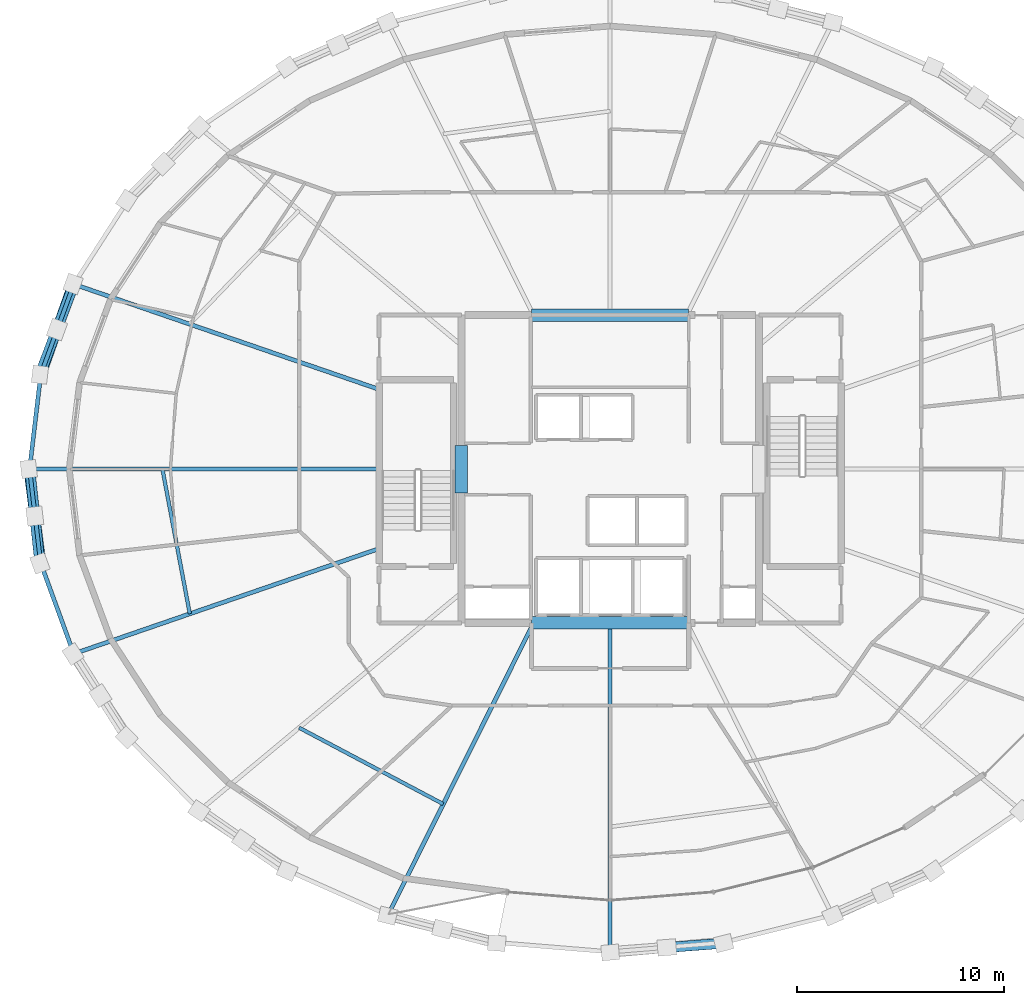
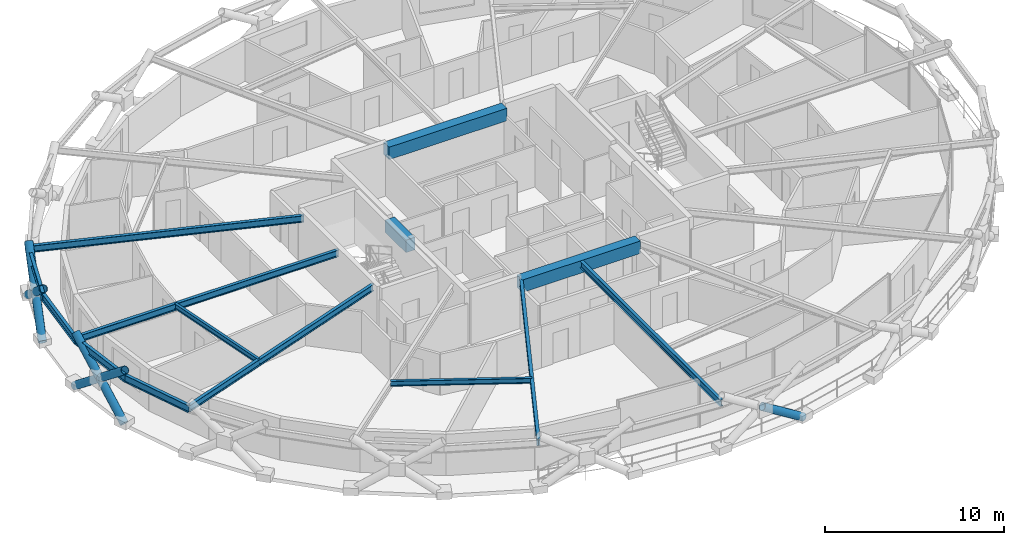
# One storey, part 3 of 19: 14 beams, 7 members.
"""IFC4 building model written with IfcOpenShell, lengths in metres."""

from ifc_helpers import new_model, si_unit, direction, frame, origin, origin_2d, place, context, subcontext, project, spatial, rectangle, hollow_circle, i_section, extrude, material, material_profile, profile_set, type_object, element, save


model = new_model("IFC4")

# Units and contexts
model_context = context("Model", 3, precision=1e-05, world=origin(), true_north=direction((0.0, 1.0)))
body_context = subcontext(model_context, "Body", "Model", "MODEL_VIEW")
ifc_project = project(units=[si_unit("LENGTHUNIT", "METRE"), si_unit("AREAUNIT", "SQUARE_METRE"), si_unit("VOLUMEUNIT", "CUBIC_METRE"), si_unit("PLANEANGLEUNIT", "RADIAN"), si_unit("MASSUNIT", "GRAM", prefix="KILO")], contexts=[model_context])

# Site, building, storey
site_placement = place(None, origin())
site = spatial("IfcSite", under=ifc_project, at=site_placement, CompositionType="ELEMENT")
building_placement = place(site_placement, origin())
building = spatial("IfcBuilding", under=site, at=building_placement, Name="Veldorina Hangang Commons", CompositionType="ELEMENT")
storey_placement = place(building_placement, frame((0.0, 0.0, 164.0)))
storey = spatial("IfcBuildingStorey", under=building, at=storey_placement, Name="L42", CompositionType="ELEMENT", Elevation=164.0)

# Beams
ifc_material_1 = material(Name="Concrete C60/75", Category="concrete")
ifc_material_profile_1 = material_profile(ifc_material_1, rectangle(XDim=0.60009765625, YDim=0.85009765625, at=origin_2d()), Name="RC-CB-600x850")
ifc_profile_set_1 = profile_set([ifc_material_profile_1], Name="Concrete C60/75")
beam_type_1 = type_object("IfcBeamType", Name="BM-CB850", PredefinedType="LINTEL", material=ifc_profile_set_1)
beam_1_placement = place(storey_placement, frame((24.800048828125, 22.85009765625, 2.925048828125), z_axis=(0.0, 1.0, 0.0), x_axis=(-1.0, 0.0, 0.0)))
element("IfcBeam", 1, at=beam_1_placement, inside=storey, type_object=beam_type_1, Name="L42 W core coupling lintel beam", PredefinedType="LINTEL", context=body_context, shape_type="SweptSolid", body=[
    extrude(rectangle(XDim=0.60009765625, YDim=0.85009765625, at=origin_2d()), origin(), (0.0, 0.0, 1.0), 2.2998046875),
])
for number, where, z_axis, x_axis, name in (
    (2, (28.199951171875, 16.550048828125, 2.925048828125), (1.0, 0.0, 0.0), (0.0, 1.0, 0.0), "L42 south core coupling beam"),
    (3, (28.199951171875, 31.449951171875, 2.925048828125), (1.0, 0.0, 0.0), (0.0, 1.0, 0.0), "L42 north core coupling beam"),
):
    element("IfcBeam", number, at=place(storey_placement, frame(where, z_axis=z_axis, x_axis=x_axis)), inside=storey, type_object=beam_type_1, Name=name, PredefinedType="LINTEL", context=body_context, shape_type="SweptSolid", body=[
        extrude(rectangle(XDim=0.60009765625, YDim=0.85009765625, at=origin_2d()), origin(), (0.0, 0.0, 1.0), 7.60009765625),
    ])
ifc_material_2 = material(Name="Steel SM355-TMC", Category="steel")
ifc_material_profile_2 = material_profile(ifc_material_2, i_section(OverallWidth=0.199951171875, OverallDepth=0.449951171875, WebThickness=0.009033203125, FlangeThickness=0.013916015625, FilletRadius=0.01611328125, at=origin_2d()), Name="H-450x200x9x14")
ifc_profile_set_2 = profile_set([ifc_material_profile_2], Name="Steel SM355-TMC")
beam_type_2 = type_object("IfcBeamType", Name="BM-FG450", PredefinedType="BEAM", material=ifc_profile_set_2)
beam_2_placement = place(storey_placement, frame((20.820068359375, 27.851318359375, 3.125), z_axis=(-0.945470676268, 0.325707230987, 0.0), x_axis=(-0.325707230987, -0.945470676268, 0.0)))
element("IfcBeam", 4, at=beam_2_placement, inside=storey, type_object=beam_type_2, Name="L42 radial floor girder 08", PredefinedType="BEAM", context=body_context, shape_type="SweptSolid", body=[
    extrude(i_section(OverallWidth=0.199951171875, OverallDepth=0.449951171875, WebThickness=0.009033203125, FlangeThickness=0.013916015625, FilletRadius=0.01611328125, at=origin_2d()), origin(), (0.0, 0.0, 1.0), 15.63525390625),
])
beam_3_placement = place(storey_placement, frame((20.820068359375, 24.0, 3.125), z_axis=(-1.0, 0.0, 0.0), x_axis=(0.0, -1.0, 0.0)))
element("IfcBeam", 5, at=beam_3_placement, inside=storey, type_object=beam_type_2, Name="L42 radial floor girder 09", PredefinedType="BEAM", context=body_context, shape_type="SweptSolid", body=[
    extrude(i_section(OverallWidth=0.199951171875, OverallDepth=0.449951171875, WebThickness=0.009033203125, FlangeThickness=0.013916015625, FilletRadius=0.01611328125, at=origin_2d()), origin(), (0.0, 0.0, 1.0), 16.921875),
])
beam_4_placement = place(storey_placement, frame((20.820068359375, 20.148681640625, 3.125), z_axis=(-0.945475484687, -0.325693272661, 0.0), x_axis=(0.325693272661, -0.945475484687, 0.0)))
element("IfcBeam", 6, at=beam_4_placement, inside=storey, type_object=beam_type_2, Name="L42 radial floor girder 10", PredefinedType="BEAM", context=body_context, shape_type="SweptSolid", body=[
    extrude(i_section(OverallWidth=0.199951171875, OverallDepth=0.449951171875, WebThickness=0.009033203125, FlangeThickness=0.013916015625, FilletRadius=0.01611328125, at=origin_2d()), origin(), (0.0, 0.0, 1.0), 15.63525390625),
])
beam_5_placement = place(storey_placement, frame((28.28955078125, 16.550048828125, 3.125), z_axis=(-0.445822322888, -0.895121475787, 0.0), x_axis=(0.895121475787, -0.445822322888, 0.0)))
element("IfcBeam", 7, at=beam_5_placement, inside=storey, type_object=beam_type_2, Name="L42 radial floor girder 12", PredefinedType="BEAM", context=body_context, shape_type="SweptSolid", body=[
    extrude(i_section(OverallWidth=0.199951171875, OverallDepth=0.449951171875, WebThickness=0.009033203125, FlangeThickness=0.013916015625, FilletRadius=0.01611328125, at=origin_2d()), origin(), (0.0, 0.0, 1.0), 15.79931640625),
])
beam_6_placement = place(storey_placement, frame((32.0, 16.550048828125, 3.125), z_axis=(0.0, -1.0, 0.0), x_axis=(1.0, 0.0, 0.0)))
element("IfcBeam", 8, at=beam_6_placement, inside=storey, type_object=beam_type_2, Name="L42 radial floor girder 13", PredefinedType="BEAM", context=body_context, shape_type="SweptSolid", body=[
    extrude(i_section(OverallWidth=0.199951171875, OverallDepth=0.449951171875, WebThickness=0.009033203125, FlangeThickness=0.013916015625, FilletRadius=0.01611328125, at=origin_2d()), origin(), (0.0, 0.0, 1.0), 15.92138671875),
])
ifc_material_profile_3 = material_profile(ifc_material_2, i_section(OverallWidth=0.175048828125, OverallDepth=0.35009765625, WebThickness=0.007080078125, FlangeThickness=0.010986328125, FilletRadius=0.012939453125, at=origin_2d()), Name="H-350x175x7x11")
ifc_profile_set_3 = profile_set([ifc_material_profile_3], Name="Steel SM355-TMC")
beam_type_3 = type_object("IfcBeamType", Name="BM-JST350", PredefinedType="JOIST", material=ifc_profile_set_3)
beam_7_placement = place(storey_placement, frame((10.32861328125, 24.0, 3.175048828125), z_axis=(0.185922926409, -0.982564331449, 0.0), x_axis=(0.982564331449, 0.185922926409, 0.0)))
element("IfcBeam", 9, at=beam_7_placement, inside=storey, type_object=beam_type_3, Name="L42 secondary floor joist 09", PredefinedType="JOIST", context=body_context, shape_type="SweptSolid", body=[
    extrude(i_section(OverallWidth=0.175048828125, OverallDepth=0.35009765625, WebThickness=0.007080078125, FlangeThickness=0.010986328125, FilletRadius=0.012939453125, at=origin_2d()), origin(), (0.0, 0.0, 1.0), 7.1328125),
])
beam_8_placement = place(storey_placement, frame((16.944091796875, 11.478515625, 3.175048828125), z_axis=(0.883669074698, -0.46811213018, 0.0), x_axis=(0.46811213018, 0.883669074698, 0.0)))
element("IfcBeam", 10, at=beam_8_placement, inside=storey, type_object=beam_type_3, Name="L42 secondary floor joist 11", PredefinedType="JOIST", context=body_context, shape_type="SweptSolid", body=[
    extrude(i_section(OverallWidth=0.175048828125, OverallDepth=0.35009765625, WebThickness=0.007080078125, FlangeThickness=0.010986328125, FilletRadius=0.012939453125, at=origin_2d()), origin(), (0.0, 0.0, 1.0), 7.897216796875),
])
ifc_material_3 = material(Name="Steel SM420-TMC", Category="steel")
ifc_material_profile_4 = material_profile(ifc_material_3, i_section(OverallWidth=0.199951171875, OverallDepth=0.5, WebThickness=0.010009765625, FlangeThickness=0.01611328125, FilletRadius=0.01611328125, at=origin_2d()), Name="H-500x200x10x16")
ifc_profile_set_4 = profile_set([ifc_material_profile_4], Name="Steel SM420-TMC")
beam_type_4 = type_object("IfcBeamType", Name="BM-RB500", PredefinedType="BEAM", material=ifc_profile_set_4)
beam_9_placement = place(storey_placement, frame((6.037353515625, 32.94384765625, 3.10009765625), z_axis=(-0.34265859185, -0.939459998846, 0.0), x_axis=(0.939459998846, -0.34265859185, 0.0)))
element("IfcBeam", 11, at=beam_9_placement, inside=storey, type_object=beam_type_4, Name="L42 perimeter hoop ring beam 14", PredefinedType="BEAM", context=body_context, shape_type="SweptSolid", body=[
    extrude(i_section(OverallWidth=0.199951171875, OverallDepth=0.5, WebThickness=0.010009765625, FlangeThickness=0.01611328125, FilletRadius=0.01611328125, at=origin_2d()), origin(), (0.0, 0.0, 1.0), 4.666748046875),
])
for number, where, z_axis, x_axis, name in (
    (12, (4.438232421875, 28.5595703125, 3.10009765625), (-0.117618662642, -0.993058835215, 0.0), (0.993058835215, -0.117618662642, 0.0), "L42 perimeter hoop ring beam 15"),
    (13, (3.898193359375, 24.0, 3.10009765625), (0.117618662642, -0.993058835215, 0.0), (0.993058835215, 0.117618662642, 0.0), "L42 perimeter hoop ring beam 16"),
):
    element("IfcBeam", number, at=place(storey_placement, frame(where, z_axis=z_axis, x_axis=x_axis)), inside=storey, type_object=beam_type_4, Name=name, PredefinedType="BEAM", context=body_context, shape_type="SweptSolid", body=[
        extrude(i_section(OverallWidth=0.199951171875, OverallDepth=0.5, WebThickness=0.010009765625, FlangeThickness=0.01611328125, FilletRadius=0.01611328125, at=origin_2d()), origin(), (0.0, 0.0, 1.0), 4.591552734375),
    ])
beam_10_placement = place(storey_placement, frame((4.438232421875, 19.4404296875, 3.10009765625), z_axis=(0.342675433327, -0.939453855915, 0.0), x_axis=(0.939453855915, 0.342675433327, 0.0)))
element("IfcBeam", 14, at=beam_10_placement, inside=storey, type_object=beam_type_4, Name="L42 perimeter hoop ring beam 17", PredefinedType="BEAM", context=body_context, shape_type="SweptSolid", body=[
    extrude(i_section(OverallWidth=0.199951171875, OverallDepth=0.5, WebThickness=0.010009765625, FlangeThickness=0.01611328125, FilletRadius=0.01611328125, at=origin_2d()), origin(), (0.0, 0.0, 1.0), 4.66650390625),
])

# Members
ifc_material_profile_5 = material_profile(ifc_material_3, hollow_circle(Radius=0.25, WallThickness=0.02490234375, at=origin_2d()), Name="CHS-500x25")
ifc_profile_set_5 = profile_set([ifc_material_profile_5], Name="Steel SM420-TMC")
member_type = type_object("IfcMemberType", Name="DG-CHS500", PredefinedType="BRACE", material=ifc_profile_set_5)
member_1_placement = place(storey_placement, frame((6.0, 32.95458984375, 0.0), z_axis=(-0.264029701367, -0.746212337596, 0.611110026113), x_axis=(0.942728098771, -0.333562185787, 0.0)))
element("IfcMember", 15, at=member_1_placement, inside=storey, type_object=member_type, Name="L42 continuous perimeter diagrid brace 14", PredefinedType="BRACE", context=body_context, shape_type="SweptSolid", body=[
    extrude(hollow_circle(Radius=0.25, WallThickness=0.02490234375, at=origin_2d()), origin(), (0.0, 0.0, 1.0), 5.89111328125),
])
member_2_placement = place(storey_placement, frame((4.3984375, 28.56494140625, 0.0), z_axis=(0.278814672242, 0.741686717085, 0.610051794721), x_axis=(-0.93604583389, 0.351878099429, 0.0)))
element("IfcMember", 16, at=member_2_placement, inside=storey, type_object=member_type, Name="L42 split perimeter diagrid lower brace 15", PredefinedType="BRACE", context=body_context, shape_type="SweptSolid", body=[
    extrude(hollow_circle(Radius=0.25, WallThickness=0.02490234375, at=origin_2d()), origin(), (0.0, 0.0, 1.0), 2.95263671875),
])
member_3_placement = place(storey_placement, frame((5.2216796875, 30.7548828125, 1.80126953125), z_axis=(0.27870279653, 0.741717068126, 0.610066014507), x_axis=(-0.936097072697, 0.351741766767, 0.0)))
element("IfcMember", 17, at=member_3_placement, inside=storey, type_object=member_type, Name="L42 split perimeter diagrid upper brace 15", PredefinedType="BRACE", context=body_context, shape_type="SweptSolid", body=[
    extrude(hollow_circle(Radius=0.25, WallThickness=0.02490234375, at=origin_2d()), origin(), (0.0, 0.0, 1.0), 2.948486328125),
])
member_4_placement = place(storey_placement, frame((3.85791015625, 24.0, 0.0), z_axis=(0.100486555149, -0.780809387322, 0.616635348407), x_axis=(0.991820219628, 0.127642672867, 0.0)))
element("IfcMember", 18, at=member_4_placement, inside=storey, type_object=member_type, Name="L42 continuous perimeter diagrid brace 16", PredefinedType="BRACE", context=body_context, shape_type="SweptSolid", body=[
    extrude(hollow_circle(Radius=0.25, WallThickness=0.02490234375, at=origin_2d()), origin(), (0.0, 0.0, 1.0), 5.83837890625),
])
member_5_placement = place(storey_placement, frame((4.3984375, 19.43505859375, 0.0), z_axis=(-0.084635074221, 0.782372647571, 0.617033179452), x_axis=(-0.994199678899, -0.107549981298, 0.0)))
element("IfcMember", 19, at=member_5_placement, inside=storey, type_object=member_type, Name="L42 split perimeter diagrid lower brace 17", PredefinedType="BRACE", context=body_context, shape_type="SweptSolid", body=[
    extrude(hollow_circle(Radius=0.25, WallThickness=0.02490234375, at=origin_2d()), origin(), (0.0, 0.0, 1.0), 2.919189453125),
])
member_6_placement = place(storey_placement, frame((4.1513671875, 21.718994140625, 1.80126953125), z_axis=(-0.084579063157, 0.782398205028, 0.617008452814), x_axis=(-0.994207662204, -0.107476157425, 0.0)))
element("IfcMember", 20, at=member_6_placement, inside=storey, type_object=member_type, Name="L42 split perimeter diagrid upper brace 17", PredefinedType="BRACE", context=body_context, shape_type="SweptSolid", body=[
    extrude(hollow_circle(Radius=0.25, WallThickness=0.02490234375, at=origin_2d()), origin(), (0.0, 0.0, 1.0), 2.915283203125),
])
member_7_placement = place(storey_placement, frame((37.490234375, 1.050048828125, 0.0), z_axis=(-0.834565966843, -0.063335940255, 0.5472551559), x_axis=(0.075673269167, -0.997132667369, 0.0)))
element("IfcMember", 21, at=member_7_placement, inside=storey, type_object=member_type, Name="L42 split perimeter diagrid lower brace 25", PredefinedType="BRACE", context=body_context, shape_type="SweptSolid", body=[
    extrude(hollow_circle(Radius=0.25, WallThickness=0.02490234375, at=origin_2d()), origin(), (0.0, 0.0, 1.0), 3.2919921875),
])

save(model, "model.ifc")
